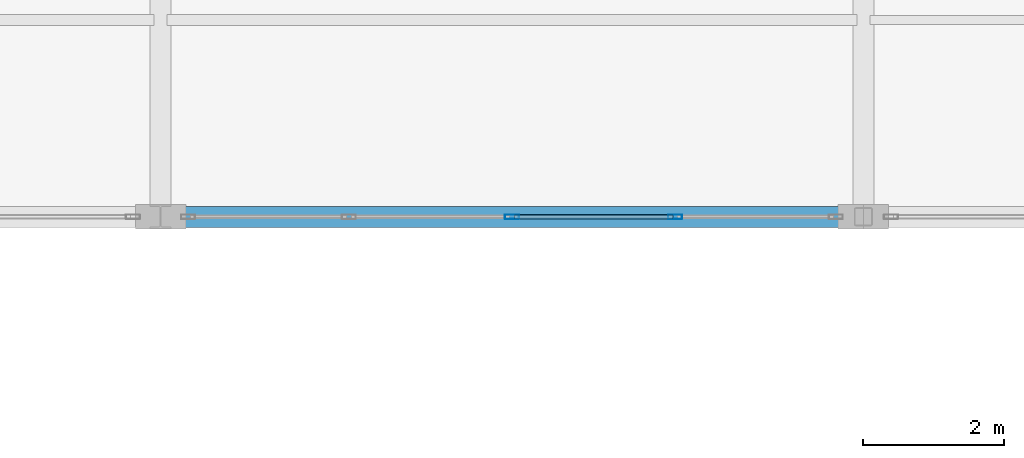
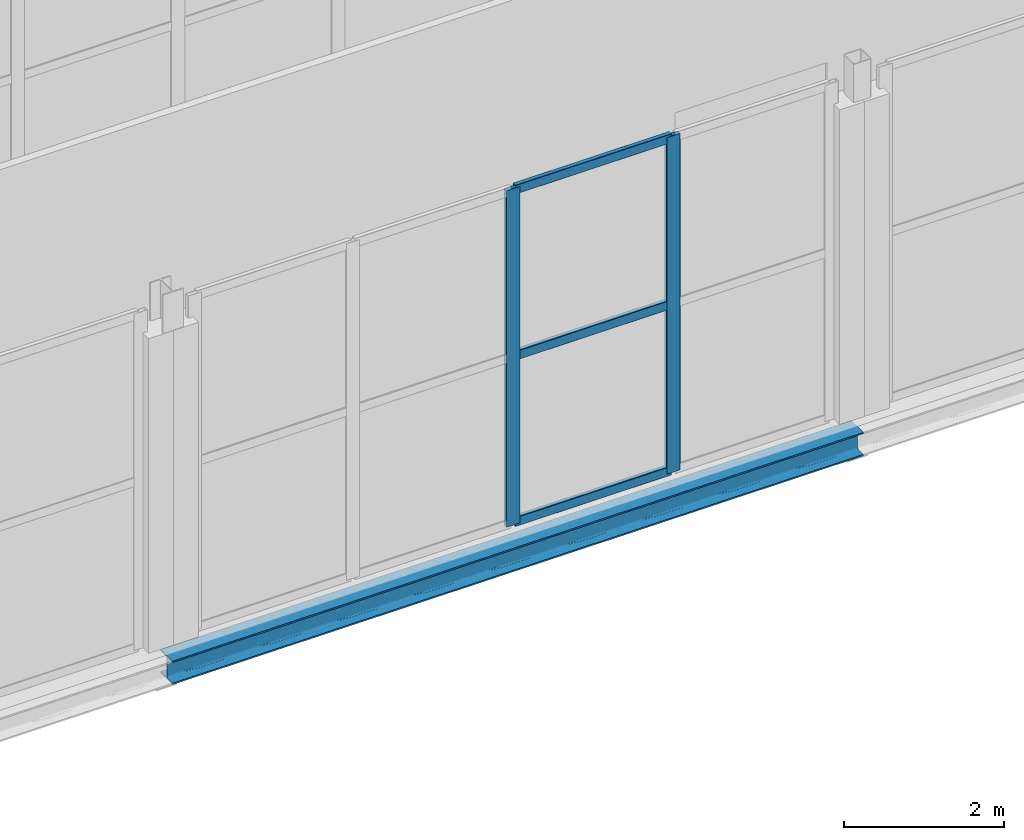
# One storey, part 84 of 147: 5 members, 1 beam, 1 element without a shape of its own.
"""IFC4 building model written with IfcOpenShell, lengths in metres."""

from ifc_helpers import new_model, si_unit, direction, frame, origin, origin_2d, place, context, subcontext, project, spatial, hollow_rectangle, i_section, extrude, material, layer, layer_set, material_profile, profile_set, type_object, element, aggregate, save


model = new_model("IFC4")

# Units and contexts
model_context = context("Model", 3, precision=1e-05, world=origin(), true_north=direction((0.0, 1.0)))
body_context = subcontext(model_context, "Body", "Model", "MODEL_VIEW")
ifc_project = project(units=[si_unit("LENGTHUNIT", "METRE"), si_unit("AREAUNIT", "SQUARE_METRE"), si_unit("VOLUMEUNIT", "CUBIC_METRE"), si_unit("PLANEANGLEUNIT", "RADIAN"), si_unit("MASSUNIT", "GRAM", prefix="KILO")], contexts=[model_context])

# Site, building, storey
site_placement = place(None, origin())
site = spatial("IfcSite", under=ifc_project, at=site_placement, CompositionType="ELEMENT")
building_placement = place(site_placement, origin())
building = spatial("IfcBuilding", under=site, at=building_placement, Name="Vekula Escarpment Museum", CompositionType="ELEMENT")
storey_placement = place(building_placement, frame((0.0, 0.0, 7.800048828125)))
storey = spatial("IfcBuildingStorey", under=building, at=storey_placement, Name="L02", CompositionType="ELEMENT", Elevation=7.800048828125)

# Beam
ifc_material_1 = material(Name="Steel S355", Category="steel")
ifc_material_profile_1 = material_profile(ifc_material_1, i_section(OverallWidth=0.300048828125, OverallDepth=0.360107421875, WebThickness=0.012451171875, FlangeThickness=0.0224609375, FilletRadius=0.027099609375, at=origin_2d()), Name="HEB 360")
ifc_profile_set_1 = profile_set([ifc_material_profile_1], Name="Steel S355")
beam_type = type_object("IfcBeamType", Name="BM-GIRD-HEB360", PredefinedType="BEAM", material=ifc_profile_set_1)
beam_placement = place(storey_placement, frame((136.0, 68.0, -0.43994140625), z_axis=(1.0, 0.0, 0.0), x_axis=(0.0, 1.0, 0.0)))
element("IfcBeam", 1, at=beam_placement, inside=storey, type_object=beam_type, Name="Beam X L02 0902", PredefinedType="BEAM", context=body_context, shape_type="SweptSolid", body=[
    extrude(i_section(OverallWidth=0.300048828125, OverallDepth=0.360107421875, WebThickness=0.012451171875, FlangeThickness=0.0224609375, FilletRadius=0.027099609375, at=origin_2d()), origin(), (0.0, 0.0, 1.0), 10.0),
])

# Curtain wall, members
ifc_material_2 = material(Name="Aluminium thermally broken framing", Category="aluminium")
ifc_layer = layer(ifc_material_2, 0.199951171875)
ifc_layer_set = layer_set([ifc_layer], Name="Aluminium thermally broken framing")
curtain_wall_type = type_object("IfcCurtainWallType", Name="CW-SYS-04", PredefinedType="NOTDEFINED", material=ifc_layer_set)
curtain_wall_placement = place(storey_placement, origin())
curtain_wall = element("IfcCurtainWall", 2, at=curtain_wall_placement, inside=storey, type_object=curtain_wall_type, Name="Curtain Wall CW-L02-064", PredefinedType="NOTDEFINED")
ifc_material_3 = material(Name="Aluminium anodized mullion", Category="aluminium")
ifc_material_profile_2 = material_profile(ifc_material_3, hollow_rectangle(XDim=0.06494140625, YDim=0.199951171875, WallThickness=0.00390625, InnerFilletRadius=0.00390625, OuterFilletRadius=0.008056640625, at=origin_2d()), Name="ALU 200x65x4")
ifc_profile_set_2 = profile_set([ifc_material_profile_2], Name="Aluminium anodized mullion")
member_type_1 = type_object("IfcMemberType", Name="CW-MUL-200", PredefinedType="MULLION", material=ifc_profile_set_2)
member_1_placement = place(storey_placement, frame((141.0, 68.0, 0.0), z_axis=(0.0, 0.0, 1.0), x_axis=(0.0, 1.0, 0.0)))
member_1 = element("IfcMember", 3, at=member_1_placement, type_object=member_type_1, Name="CW-04 mullion 3", PredefinedType="MULLION", context=body_context, shape_type="SweptSolid", body=[
    extrude(hollow_rectangle(XDim=0.06494140625, YDim=0.199951171875, WallThickness=0.00390625, InnerFilletRadius=0.00390625, OuterFilletRadius=0.008056640625, at=origin_2d()), origin(), (0.0, 0.0, 1.0), 5.14990234375),
])
member_2_placement = place(storey_placement, frame((143.320068359375, 68.0, 0.0), z_axis=(0.0, 0.0, 1.0), x_axis=(0.0, 1.0, 0.0)))
member_2 = element("IfcMember", 4, at=member_2_placement, type_object=member_type_1, Name="CW-04 mullion 4", PredefinedType="MULLION", context=body_context, shape_type="SweptSolid", body=[
    extrude(hollow_rectangle(XDim=0.06494140625, YDim=0.199951171875, WallThickness=0.00390625, InnerFilletRadius=0.00390625, OuterFilletRadius=0.008056640625, at=origin_2d()), origin(), (0.0, 0.0, 1.0), 5.14990234375),
])
ifc_material_4 = material(Name="Aluminium anodized transom", Category="aluminium")
ifc_material_profile_3 = material_profile(ifc_material_4, hollow_rectangle(XDim=0.06494140625, YDim=0.139892578125, WallThickness=0.00390625, InnerFilletRadius=0.00390625, OuterFilletRadius=0.008056640625, at=origin_2d()), Name="ALU 140x65x4")
ifc_profile_set_3 = profile_set([ifc_material_profile_3], Name="Aluminium anodized transom")
member_type_2 = type_object("IfcMemberType", Name="CW-TRN-140", PredefinedType="USERDEFINED", material=ifc_profile_set_3)
member_3_placement = place(storey_placement, frame((141.032470703125, 68.0, 0.032470703125), z_axis=(1.0, 0.0, 0.0), x_axis=(0.0, 1.0, 0.0)))
member_3 = element("IfcMember", 5, at=member_3_placement, type_object=member_type_2, Name="CW-04 transom 3.1", ObjectType="TRANSOM", PredefinedType="USERDEFINED", context=body_context, shape_type="SweptSolid", body=[
    extrude(hollow_rectangle(XDim=0.06494140625, YDim=0.139892578125, WallThickness=0.00390625, InnerFilletRadius=0.00390625, OuterFilletRadius=0.008056640625, at=origin_2d()), origin(), (0.0, 0.0, 1.0), 2.255126953125),
])
member_4_placement = place(storey_placement, frame((141.032470703125, 68.0, 2.574951171875), z_axis=(1.0, 0.0, 0.0), x_axis=(0.0, 1.0, 0.0)))
member_4 = element("IfcMember", 6, at=member_4_placement, type_object=member_type_2, Name="CW-04 transom 3.2", ObjectType="TRANSOM", PredefinedType="USERDEFINED", context=body_context, shape_type="SweptSolid", body=[
    extrude(hollow_rectangle(XDim=0.06494140625, YDim=0.139892578125, WallThickness=0.00390625, InnerFilletRadius=0.00390625, OuterFilletRadius=0.008056640625, at=origin_2d()), origin(), (0.0, 0.0, 1.0), 2.255126953125),
])
member_5_placement = place(storey_placement, frame((141.032470703125, 68.0, 5.117431640625), z_axis=(1.0, 0.0, 0.0), x_axis=(0.0, 1.0, 0.0)))
member_5 = element("IfcMember", 7, at=member_5_placement, type_object=member_type_2, Name="CW-04 transom 3.3", ObjectType="TRANSOM", PredefinedType="USERDEFINED", context=body_context, shape_type="SweptSolid", body=[
    extrude(hollow_rectangle(XDim=0.06494140625, YDim=0.139892578125, WallThickness=0.00390625, InnerFilletRadius=0.00390625, OuterFilletRadius=0.008056640625, at=origin_2d()), origin(), (0.0, 0.0, 1.0), 2.255126953125),
])
aggregate(curtain_wall, [member_1, member_2, member_3, member_4, member_5])

save(model, "model.ifc")
